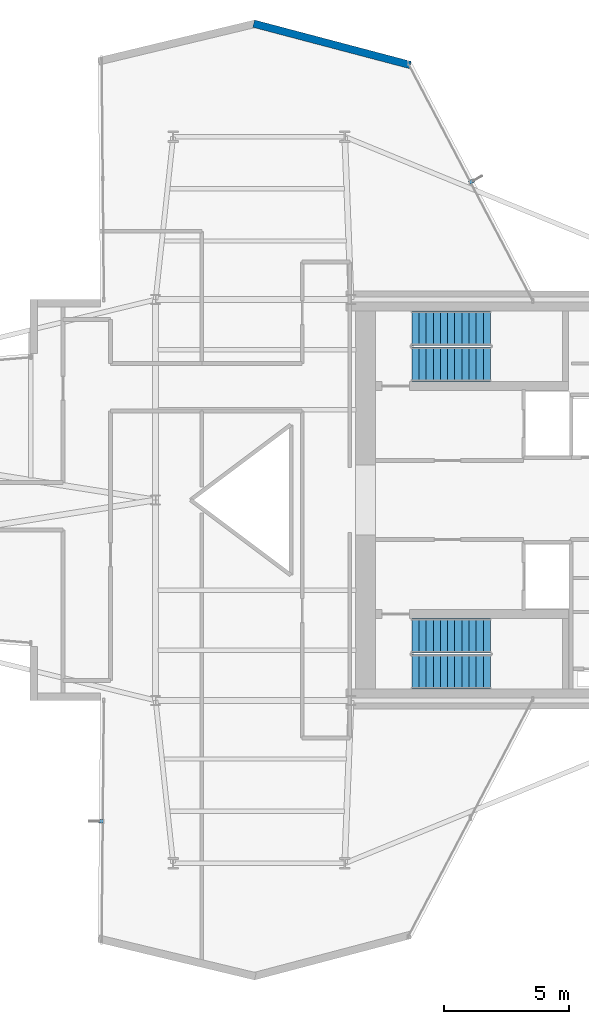
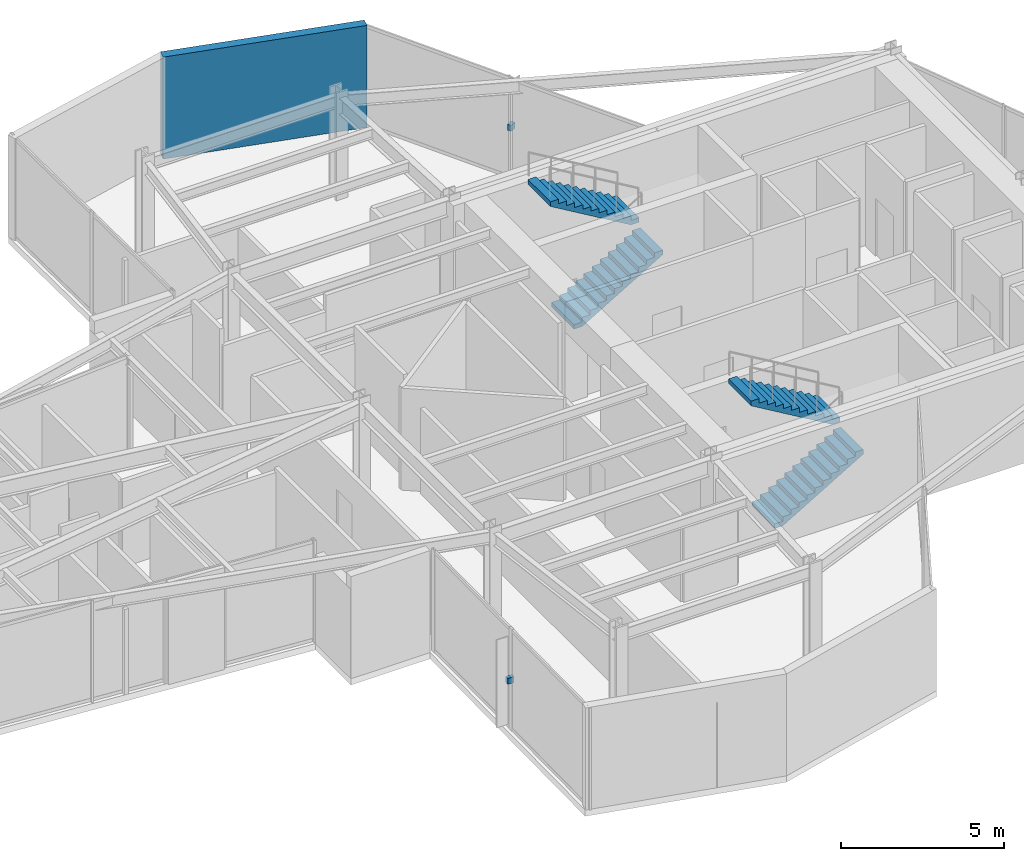
# One storey, part 24 of 25: 4 stair flights, 2 discrete accessories, 1 wall, 2 elements without a shape of their own.
"""IFC4 building model written with IfcOpenShell, lengths in metres."""

from ifc_helpers import new_model, si_unit, direction, frame, frame_2d, origin, origin_2d, place, context, subcontext, project, spatial, polyline, rectangle, outline, extrude, material, layer, layer_set, type_object, element, aggregate, save


model = new_model("IFC4")

# Units and contexts
model_context = context("Model", 3, precision=1e-05, world=origin(), true_north=direction((0.0, 1.0)))
body_context = subcontext(model_context, "Body", "Model", "MODEL_VIEW")
ifc_project = project(units=[si_unit("LENGTHUNIT", "METRE"), si_unit("AREAUNIT", "SQUARE_METRE"), si_unit("VOLUMEUNIT", "CUBIC_METRE"), si_unit("PLANEANGLEUNIT", "RADIAN"), si_unit("MASSUNIT", "GRAM", prefix="KILO")], contexts=[model_context])

# Site, building, storey
site_placement = place(None, origin())
site = spatial("IfcSite", under=ifc_project, at=site_placement, CompositionType="ELEMENT")
building_placement = place(site_placement, origin())
building = spatial("IfcBuilding", under=site, at=building_placement, Name="Veymaron Broadcast Tower", CompositionType="ELEMENT")
storey_placement = place(building_placement, frame((0.0, 0.0, 141.14990234375)))
storey = spatial("IfcBuildingStorey", under=building, at=storey_placement, Name="L32", CompositionType="ELEMENT", Elevation=141.14990234375)

# Wall
ifc_material_1 = material(Name="Precast concrete C40/50 with mineral-wool insulation", Category="concrete")
ifc_layer_1 = layer(ifc_material_1, 0.300048828125)
ifc_layer_set_1 = layer_set([ifc_layer_1], Name="Precast concrete C40/50 with mineral-wool insulation")
wall_type = type_object("IfcWallType", Name="WALL-EXT-300", PredefinedType="STANDARD", material=ifc_layer_set_1)
wall_placement = place(storey_placement, frame((41.362060546875, 41.364501953125, 0.0), z_axis=(0.0, 0.0, 1.0), x_axis=(-0.966846094442, 0.255359804319, 0.0)))
element("IfcWall", 1, at=wall_placement, inside=storey, type_object=wall_type, Name="L32 notched corner facade pier 6-1", PredefinedType="STANDARD", context=body_context, shape_type="SweptSolid", body=[
    extrude(rectangle(XDim=6.462158203125, YDim=0.300048828125, at=frame_2d((3.23095703125, 0.0))), origin(), (0.0, 0.0, 1.0), 3.81005859375),
])

# Stair, stair flights
ifc_material_2 = material(Name="Concrete C50/60", Category="concrete")
stair_type_1 = type_object("IfcStairType", Name="STAIR-CORE-1", PredefinedType="HALF_TURN_STAIR", material=ifc_material_2)
stair_1_placement = place(storey_placement, origin())
stair_1 = element("IfcStair", 2, at=stair_1_placement, inside=storey, type_object=stair_type_1, Name="L32 North protected dog-leg exit stair ST1", PredefinedType="HALF_TURN_STAIR")
ifc_material_3 = material(Name="Precast concrete C50/60", Category="concrete")
stair_flight_type = type_object("IfcStairFlightType", Name="FLT-CORE-RC", PredefinedType="STRAIGHT", material=ifc_material_3)
stair_flight_1_placement = place(storey_placement, frame((41.429931640625, 29.419921875, 0.0), z_axis=(0.0, 0.0, 1.0), x_axis=(1.0, 0.0, 0.0)))
stair_flight_1 = element("IfcStairFlight", 3, at=stair_flight_1_placement, type_object=stair_flight_type, Name="ST1 flight 1", NumberOfRisers=12, NumberOfTreads=11, PredefinedType="STRAIGHT", RiserHeight=0.16875, TreadLength=0.285, context=body_context, shape_type="SweptSolid", body=[
    extrude(outline(polyline([(0.0, 0.0), (0.0, 0.168701171875), (0.284912109375, 0.168701171875), (0.284912109375, 0.33740234375), (0.570068359375, 0.33740234375), (0.570068359375, 0.50634765625), (0.85498046875, 0.50634765625), (0.85498046875, 0.675048828125), (1.139892578125, 0.675048828125), (1.139892578125, 0.84375), (1.425048828125, 0.84375), (1.425048828125, 1.012451171875), (1.7099609375, 1.012451171875), (1.7099609375, 1.18115234375), (1.9951171875, 1.18115234375), (1.9951171875, 1.35009765625), (2.280029296875, 1.35009765625), (2.280029296875, 1.518798828125), (2.56494140625, 1.518798828125), (2.56494140625, 1.6875), (2.85009765625, 1.6875), (2.85009765625, 1.856201171875), (3.135009765625, 1.856201171875), (3.135009765625, 2.02490234375), (3.135009765625, 1.68212890625), (0.294189453125, 0.0), (0.0, 0.0)])), frame((0.0, 0.68994140625, 0.0), z_axis=(0.0, -1.0, 0.0), x_axis=(1.0, 0.0, 0.0)), (0.0, 0.0, 1.0), 1.3798828125),
])
stair_flight_2_placement = place(storey_placement, frame((44.56494140625, 30.860107421875, 2.025146484375), z_axis=(0.0, 0.0, 1.0), x_axis=(-1.0, 0.0, 0.0)))
stair_flight_2 = element("IfcStairFlight", 4, at=stair_flight_2_placement, type_object=stair_flight_type, Name="ST1 flight 2", NumberOfRisers=12, NumberOfTreads=11, PredefinedType="STRAIGHT", RiserHeight=0.16875, TreadLength=0.285, context=body_context, shape_type="SweptSolid", body=[
    extrude(outline(polyline([(0.0, 0.0), (0.0, 0.168701171875), (0.284912109375, 0.168701171875), (0.284912109375, 0.33740234375), (0.570068359375, 0.33740234375), (0.570068359375, 0.50634765625), (0.85498046875, 0.50634765625), (0.85498046875, 0.675048828125), (1.139892578125, 0.675048828125), (1.139892578125, 0.84375), (1.425048828125, 0.84375), (1.425048828125, 1.012451171875), (1.7099609375, 1.012451171875), (1.7099609375, 1.18115234375), (1.9951171875, 1.18115234375), (1.9951171875, 1.35009765625), (2.280029296875, 1.35009765625), (2.280029296875, 1.518798828125), (2.56494140625, 1.518798828125), (2.56494140625, 1.6875), (2.85009765625, 1.6875), (2.85009765625, 1.856201171875), (3.135009765625, 1.856201171875), (3.135009765625, 2.02490234375), (3.135009765625, 1.68212890625), (0.294189453125, 0.0), (0.0, 0.0)])), frame((0.0, 0.68994140625, 0.0), z_axis=(0.0, -1.0, 0.0), x_axis=(1.0, 0.0, 0.0)), (0.0, 0.0, 1.0), 1.3798828125),
])
aggregate(stair_1, [stair_flight_1, stair_flight_2])

stair_type_2 = type_object("IfcStairType", Name="STAIR-CORE-2", PredefinedType="HALF_TURN_STAIR", material=ifc_material_2)
stair_2_placement = place(storey_placement, origin())
stair_2 = element("IfcStair", 5, at=stair_2_placement, inside=storey, type_object=stair_type_2, Name="L32 South protected dog-leg exit stair ST2", PredefinedType="HALF_TURN_STAIR")
stair_flight_3_placement = place(storey_placement, frame((41.429931640625, 17.139892578125, 0.0), z_axis=(0.0, 0.0, 1.0), x_axis=(1.0, 0.0, 0.0)))
stair_flight_3 = element("IfcStairFlight", 6, at=stair_flight_3_placement, type_object=stair_flight_type, Name="ST2 flight 1", NumberOfRisers=12, NumberOfTreads=11, PredefinedType="STRAIGHT", RiserHeight=0.16875, TreadLength=0.285, context=body_context, shape_type="SweptSolid", body=[
    extrude(outline(polyline([(0.0, 0.0), (0.0, 0.168701171875), (0.284912109375, 0.168701171875), (0.284912109375, 0.33740234375), (0.570068359375, 0.33740234375), (0.570068359375, 0.50634765625), (0.85498046875, 0.50634765625), (0.85498046875, 0.675048828125), (1.139892578125, 0.675048828125), (1.139892578125, 0.84375), (1.425048828125, 0.84375), (1.425048828125, 1.012451171875), (1.7099609375, 1.012451171875), (1.7099609375, 1.18115234375), (1.9951171875, 1.18115234375), (1.9951171875, 1.35009765625), (2.280029296875, 1.35009765625), (2.280029296875, 1.518798828125), (2.56494140625, 1.518798828125), (2.56494140625, 1.6875), (2.85009765625, 1.6875), (2.85009765625, 1.856201171875), (3.135009765625, 1.856201171875), (3.135009765625, 2.02490234375), (3.135009765625, 1.68212890625), (0.294189453125, 0.0), (0.0, 0.0)])), frame((0.0, 0.68994140625, 0.0), z_axis=(0.0, -1.0, 0.0), x_axis=(1.0, 0.0, 0.0)), (0.0, 0.0, 1.0), 1.3798828125),
])
stair_flight_4_placement = place(storey_placement, frame((44.56494140625, 18.580078125, 2.025146484375), z_axis=(0.0, 0.0, 1.0), x_axis=(-1.0, 0.0, 0.0)))
stair_flight_4 = element("IfcStairFlight", 7, at=stair_flight_4_placement, type_object=stair_flight_type, Name="ST2 flight 2", NumberOfRisers=12, NumberOfTreads=11, PredefinedType="STRAIGHT", RiserHeight=0.16875, TreadLength=0.285, context=body_context, shape_type="SweptSolid", body=[
    extrude(outline(polyline([(0.0, 0.0), (0.0, 0.168701171875), (0.284912109375, 0.168701171875), (0.284912109375, 0.33740234375), (0.570068359375, 0.33740234375), (0.570068359375, 0.50634765625), (0.85498046875, 0.50634765625), (0.85498046875, 0.675048828125), (1.139892578125, 0.675048828125), (1.139892578125, 0.84375), (1.425048828125, 0.84375), (1.425048828125, 1.012451171875), (1.7099609375, 1.012451171875), (1.7099609375, 1.18115234375), (1.9951171875, 1.18115234375), (1.9951171875, 1.35009765625), (2.280029296875, 1.35009765625), (2.280029296875, 1.518798828125), (2.56494140625, 1.518798828125), (2.56494140625, 1.6875), (2.85009765625, 1.6875), (2.85009765625, 1.856201171875), (3.135009765625, 1.856201171875), (3.135009765625, 2.02490234375), (3.135009765625, 1.68212890625), (0.294189453125, 0.0), (0.0, 0.0)])), frame((0.0, 0.68994140625, 0.0), z_axis=(0.0, -1.0, 0.0), x_axis=(1.0, 0.0, 0.0)), (0.0, 0.0, 1.0), 1.3798828125),
])
aggregate(stair_2, [stair_flight_3, stair_flight_4])

# Discrete accessories
ifc_material_4 = material(Name="Austenitic stainless steel AISI 316L", Category="steel")
ifc_layer_2 = layer(ifc_material_4, 0.1201171875)
ifc_layer_set_2 = layer_set([ifc_layer_2], Name="Austenitic stainless steel AISI 316L")
discrete_accessory_type = type_object("IfcDiscreteAccessoryType", Name="ACC-BRKT-SS1", PredefinedType="BRACKET", material=ifc_layer_set_2)
for number, where, z_axis, x_axis, name in (
    (8, (43.818115234375, 36.712890625, 1.794921875), (0.0, 0.0, 1.0), (0.885588260654, 0.46447113214, 0.0), "CW-L32-E5-1 fin bracket 1"),
    (9, (29.02734375, 11.17431640625, 1.794921875), (0.0, 0.0, 1.0), (-0.999956242636, 0.009354828341, 0.0), "CW-L32-E17-1 fin bracket 1"),
):
    element("IfcDiscreteAccessory", number, at=place(storey_placement, frame(where, z_axis=z_axis, x_axis=x_axis)), inside=storey, type_object=discrete_accessory_type, Name=name, PredefinedType="BRACKET", context=body_context, shape_type="SweptSolid", body=[
        extrude(rectangle(XDim=0.219970703125, YDim=0.139892578125, at=origin_2d()), origin(), (0.0, 0.0, 1.0), 0.219970703125),
    ])

save(model, "model.ifc")
